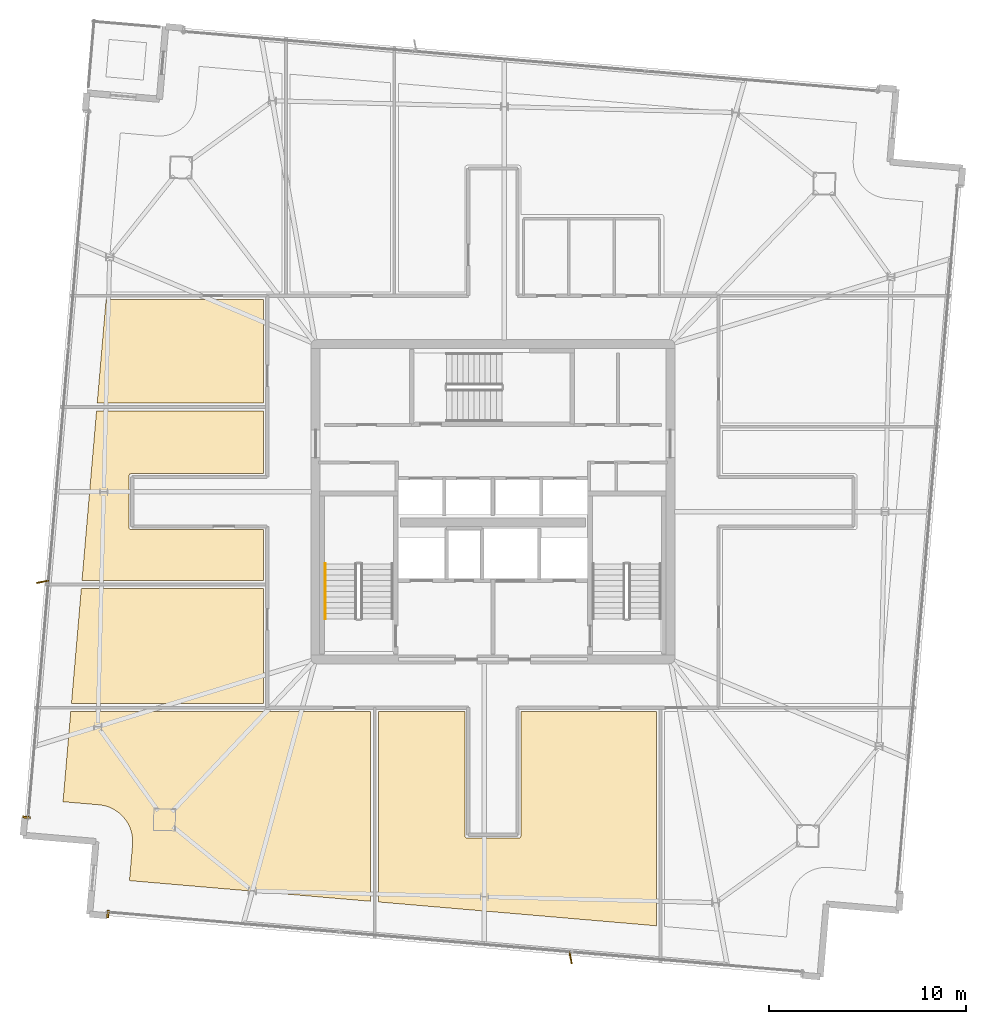
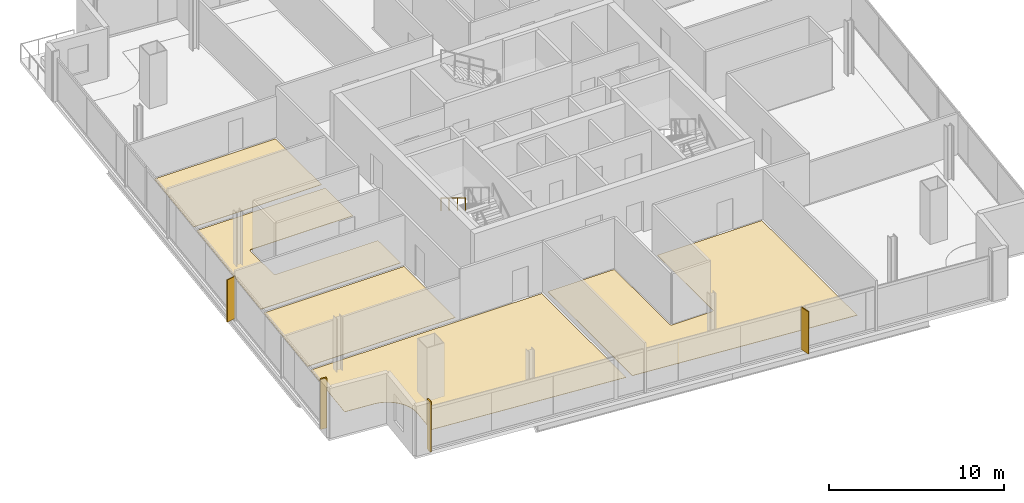
# One storey, part 22 of 24: 7 coverings, 2 shading devices, 1 railing.
"""IFC4 building model written with IfcOpenShell, lengths in metres."""

from ifc_helpers import new_model, si_unit, direction, frame, origin, origin_2d, place, context, subcontext, project, spatial, polyline, rectangle, outline, extrude, source, transform, mapped, material, layer, layer_set, type_object, element, save


model = new_model("IFC4")

# Units and contexts
model_context = context("Model", 3, precision=1e-05, world=origin(), true_north=direction((0.0, 1.0)))
body_context = subcontext(model_context, "Body", "Model", "MODEL_VIEW")
ifc_project = project(units=[si_unit("LENGTHUNIT", "METRE"), si_unit("AREAUNIT", "SQUARE_METRE"), si_unit("VOLUMEUNIT", "CUBIC_METRE"), si_unit("PLANEANGLEUNIT", "RADIAN"), si_unit("MASSUNIT", "GRAM", prefix="KILO")], contexts=[model_context])

# Site, building, storey
site_placement = place(None, origin())
site = spatial("IfcSite", under=ifc_project, at=site_placement, CompositionType="ELEMENT")
building_placement = place(site_placement, origin())
building = spatial("IfcBuilding", under=site, at=building_placement, Name="Haldenkirk Collegiate Tower", CompositionType="ELEMENT")
storey_placement = place(building_placement, frame((0.0, 0.0, 313.949951171875)))
storey = spatial("IfcBuildingStorey", under=building, at=storey_placement, Name="L79", CompositionType="ELEMENT", Elevation=313.949951171875)

# Coverings
ifc_material_1 = material(Name="Polished collegiate terrazzo", Category="concrete")
ifc_layer_1 = layer(ifc_material_1, 0.02490234375)
ifc_layer_set_1 = layer_set([ifc_layer_1], Name="Polished collegiate terrazzo")
covering_type_1 = type_object("IfcCoveringType", Name="COV-FLOOR-TERRAZZO", PredefinedType="FLOORING", material=ifc_layer_set_1)
covering_1_placement = place(storey_placement, origin())
element("IfcCovering", 1, at=covering_1_placement, inside=storey, type_object=covering_type_1, Name="L79 academic room finish 02", PredefinedType="FLOORING", context=body_context, shape_type="SweptSolid", body=[
    extrude(outline(polyline([(30.199951171875, 5.69140625), (30.199951171875, 15.35009765625), (34.580078125, 15.35009765625), (34.580078125, 9.050048828125), (34.58056640625, 9.0380859375), (34.582275390625, 9.026611328125), (34.585205078125, 9.01513671875), (34.589111328125, 9.004150390625), (34.59423828125, 8.993408203125), (34.60009765625, 8.9833984375), (34.607177734375, 8.973876953125), (34.614990234375, 8.965087890625), (34.623779296875, 8.957275390625), (34.63330078125, 8.9501953125), (34.643310546875, 8.944091796875), (34.654052734375, 8.939208984375), (34.665283203125, 8.935302734375), (34.676513671875, 8.932373046875), (34.688232421875, 8.9306640625), (34.699951171875, 8.929931640625), (37.300048828125, 8.929931640625), (37.311767578125, 8.9306640625), (37.323486328125, 8.932373046875), (37.334716796875, 8.935302734375), (37.345947265625, 8.939208984375), (37.356689453125, 8.944091796875), (37.36669921875, 8.9501953125), (37.376220703125, 8.957275390625), (37.385009765625, 8.965087890625), (37.392822265625, 8.973876953125), (37.39990234375, 8.9833984375), (37.40576171875, 8.993408203125), (37.410888671875, 9.004150390625), (37.414794921875, 9.01513671875), (37.417724609375, 9.026611328125), (37.41943359375, 9.0380859375), (37.419921875, 9.050048828125), (37.419921875, 15.35009765625), (44.300048828125, 15.35009765625), (44.300048828125, 4.482421875), (30.199951171875, 5.69140625)])), origin(), (0.0, 0.0, 1.0), 0.025146484375),
])
covering_2_placement = place(storey_placement, origin())
element("IfcCovering", 2, at=covering_2_placement, inside=storey, type_object=covering_type_1, Name="L79 academic room finish 08", PredefinedType="FLOORING", context=body_context, shape_type="SweptSolid", body=[
    extrude(outline(polyline([(17.64990234375, 27.419921875), (17.63818359375, 27.41943359375), (17.626708984375, 27.417724609375), (17.615234375, 27.414794921875), (17.60400390625, 27.410888671875), (17.593505859375, 27.40576171875), (17.583251953125, 27.39990234375), (17.573974609375, 27.392822265625), (17.565185546875, 27.385009765625), (17.55712890625, 27.376220703125), (17.55029296875, 27.36669921875), (17.544189453125, 27.356689453125), (17.5390625, 27.345947265625), (17.53515625, 27.334716796875), (17.5322265625, 27.323486328125), (17.530517578125, 27.311767578125), (17.530029296875, 27.300048828125), (17.530029296875, 24.699951171875), (17.530517578125, 24.688232421875), (17.5322265625, 24.676513671875), (17.53515625, 24.665283203125), (17.5390625, 24.654052734375), (17.544189453125, 24.643310546875), (17.55029296875, 24.63330078125), (17.55712890625, 24.623779296875), (17.565185546875, 24.614990234375), (17.573974609375, 24.607177734375), (17.583251953125, 24.60009765625), (17.593505859375, 24.59423828125), (17.60400390625, 24.589111328125), (17.615234375, 24.585205078125), (17.626708984375, 24.582275390625), (17.63818359375, 24.58056640625), (17.64990234375, 24.580078125), (24.35009765625, 24.580078125), (24.35009765625, 22.0), (15.152099609375, 22.0), (15.889404296875, 30.60009765625), (24.35009765625, 30.60009765625), (24.35009765625, 27.419921875), (17.64990234375, 27.419921875)])), origin(), (0.0, 0.0, 1.0), 0.025146484375),
])
ifc_material_2 = material(Name="Engineered collegiate oak acoustic flooring", Category="wood")
ifc_layer_2 = layer(ifc_material_2, 0.02197265625)
ifc_layer_set_2 = layer_set([ifc_layer_2], Name="Engineered collegiate oak acoustic flooring")
covering_type_2 = type_object("IfcCoveringType", Name="COV-FLOOR-TIMBER", PredefinedType="FLOORING", material=ifc_layer_set_2)
covering_3_placement = place(storey_placement, origin())
element("IfcCovering", 3, at=covering_3_placement, inside=storey, type_object=covering_type_2, Name="L79 academic room finish 01", PredefinedType="FLOORING", context=body_context, shape_type="SweptSolid", body=[
    extrude(outline(polyline([(17.560546875, 6.77490234375), (17.716796875, 8.59814453125), (17.717041015625, 8.60400390625), (17.723388671875, 8.775634765625), (17.723388671875, 8.787353515625), (17.712646484375, 8.958740234375), (17.71142578125, 8.970458984375), (17.68408203125, 9.139892578125), (17.681396484375, 9.151611328125), (17.6376953125, 9.317626953125), (17.63427734375, 9.328857421875), (17.57421875, 9.48974609375), (17.569580078125, 9.50048828125), (17.494140625, 9.65478515625), (17.488525390625, 9.665283203125), (17.3984375, 9.811279296875), (17.3916015625, 9.821044921875), (17.28759765625, 9.957763671875), (17.280029296875, 9.966796875), (17.1630859375, 10.092529296875), (17.15478515625, 10.1005859375), (17.026123046875, 10.21435546875), (17.016845703125, 10.2216796875), (16.877685546875, 10.322509765625), (16.867919921875, 10.328857421875), (16.719482421875, 10.415283203125), (16.708984375, 10.420654296875), (16.552734375, 10.491943359375), (16.541748046875, 10.496337890625), (16.37939453125, 10.55224609375), (16.3681640625, 10.555419921875), (16.200927734375, 10.59521484375), (16.189453125, 10.597412109375), (16.019287109375, 10.620361328125), (16.013427734375, 10.62109375), (14.18994140625, 10.77734375), (14.58203125, 15.35009765625), (29.800048828125, 15.35009765625), (29.800048828125, 5.7255859375), (17.560546875, 6.77490234375)])), origin(), (0.0, 0.0, 1.0), 0.02197265625),
])
covering_4_placement = place(storey_placement, origin())
element("IfcCovering", 4, at=covering_4_placement, inside=storey, type_object=covering_type_2, Name="L79 academic room finish 07", PredefinedType="FLOORING", context=body_context, shape_type="SweptSolid", body=[
    extrude(outline(polyline([(15.117919921875, 21.60009765625), (24.35009765625, 21.60009765625), (24.35009765625, 15.75), (14.6162109375, 15.75), (15.117919921875, 21.60009765625)])), origin(), (0.0, 0.0, 1.0), 0.02197265625),
])
covering_5_placement = place(storey_placement, origin())
element("IfcCovering", 5, at=covering_5_placement, inside=storey, type_object=covering_type_2, Name="L79 academic room finish 09", PredefinedType="FLOORING", context=body_context, shape_type="SweptSolid", body=[
    extrude(outline(polyline([(16.373779296875, 36.25), (24.35009765625, 36.25), (24.35009765625, 31.0), (15.923583984375, 31.0), (16.373779296875, 36.25)])), origin(), (0.0, 0.0, 1.0), 0.02197265625),
])

# Railing
ifc_material_3 = material(Name="Painted architectural tubular steel", Category="steel")
railing_type = type_object("IfcRailingType", Name="RLG-STAIR-HANDRAIL-900", PredefinedType="HANDRAIL", material=ifc_material_3)
railing_placement = place(storey_placement, frame((27.5, 22.85009765625, 2.04541015625)))
element("IfcRailing", 6, at=railing_placement, inside=storey, type_object=railing_type, Name="L79 ST-1 stair handrail 2", PredefinedType="HANDRAIL", context=body_context, shape_type="SweptSolid", body=[
    extrude(rectangle(XDim=0.048095703125, YDim=0.048095703125, at=origin_2d()), frame((0.0, 0.0, 0.8759765625), z_axis=(0.0, -0.854169791009, 0.51999420009), x_axis=(1.0, 0.0, 0.0)), (0.0, 0.0, 1.0), 3.278076171875),
    extrude(rectangle(XDim=0.0419921875, YDim=0.0419921875, at=origin_2d()), origin(), (0.0, 0.0, 1.0), 0.851806640625),
    extrude(rectangle(XDim=0.0419921875, YDim=0.0419921875, at=origin_2d()), frame((0.0, -0.933349609375, 0.568115234375)), (0.0, 0.0, 1.0), 0.851806640625),
    extrude(rectangle(XDim=0.0419921875, YDim=0.0419921875, at=origin_2d()), frame((0.0, -1.86669921875, 1.136474609375)), (0.0, 0.0, 1.0), 0.851806640625),
    extrude(rectangle(XDim=0.0419921875, YDim=0.0419921875, at=origin_2d()), frame((0.0, -2.800048828125, 1.70458984375)), (0.0, 0.0, 1.0), 0.851806640625),
])

# Coverings
ifc_material_4 = material(Name="Anodised architectural bronze aluminium", Category="aluminium")
ifc_layer_3 = layer(ifc_material_4, 0.06005859375)
ifc_layer_set_3 = layer_set([ifc_layer_3], Name="Anodised architectural bronze aluminium")
covering_type_3 = type_object("IfcCoveringType", Name="COV-CLAD-BRONZE-60", PredefinedType="CLADDING", material=ifc_layer_set_3)
shared_shape_1 = source(origin(), body_context, "Body", "SweptSolid", [
    extrude(rectangle(XDim=0.10009765625, YDim=0.3798828125, at=origin_2d()), origin(), (0.0, 0.0, 1.0), 3.489990234375),
])
for number, where, z_axis, x_axis, name in (
    (7, (12.336181640625, 9.992919921875, 0.0), (0.0, 0.0, 1.0), (0.085416923137, 0.996345296191, 0.0), "L79 recessed curtain-wall bronze jamb closure NJL"),
    (8, (16.471923828125, 5.08154296875, 0.0), (0.0, 0.0, 1.0), (-0.996345296191, 0.085416923137, 0.0), "L79 recessed curtain-wall bronze jamb closure WJR"),
):
    element("IfcCovering", number, at=place(storey_placement, frame(where, z_axis=z_axis, x_axis=x_axis)), inside=storey, type_object=covering_type_3, Name=name, PredefinedType="CLADDING", context=body_context, shape_type="MappedRepresentation", body=[
        mapped(shared_shape_1, transform((0.0, 0.0, 0.0), x_axis=(1.0, 0.0, 0.0), y_axis=(0.0, 1.0, 0.0), z_axis=(0.0, 0.0, 1.0), scale=1.0)),
    ])

# Shading devices
ifc_layer_4 = layer(ifc_material_4, 0.06494140625)
ifc_layer_set_4 = layer_set([ifc_layer_4], Name="Anodised architectural bronze aluminium")
shading_device_type = type_object("IfcShadingDeviceType", Name="SHD-FIN-BRONZE-620", PredefinedType="USERDEFINED", material=ifc_layer_set_4)
shared_shape_2 = source(origin(), body_context, "Body", "SweptSolid", [
    extrude(rectangle(XDim=0.6201171875, YDim=0.06494140625, at=origin_2d()), origin(), (0.0, 0.0, 1.0), 2.947998046875),
])
for number, where, z_axis, x_axis, name in (
    (9, (13.154296875, 21.9365234375, 0.0), (0.0, 0.0, 1.0), (-0.981292663992, -0.192521966526, 0.0), "L79 folded bronze solar fin 1"),
    (10, (39.938232421875, 2.864013671875, 0.0), (0.0, 0.0, 1.0), (0.192521966526, -0.981292663992, 0.0), "L79 folded bronze solar fin 1"),
):
    element("IfcShadingDevice", number, at=place(storey_placement, frame(where, z_axis=z_axis, x_axis=x_axis)), inside=storey, type_object=shading_device_type, Name=name, ObjectType="FIN", PredefinedType="USERDEFINED", context=body_context, shape_type="MappedRepresentation", body=[
        mapped(shared_shape_2, transform((0.0, 0.0, 0.0), x_axis=(1.0, 0.0, 0.0), y_axis=(0.0, 1.0, 0.0), z_axis=(0.0, 0.0, 1.0), scale=1.0)),
    ])

save(model, "model.ifc")
